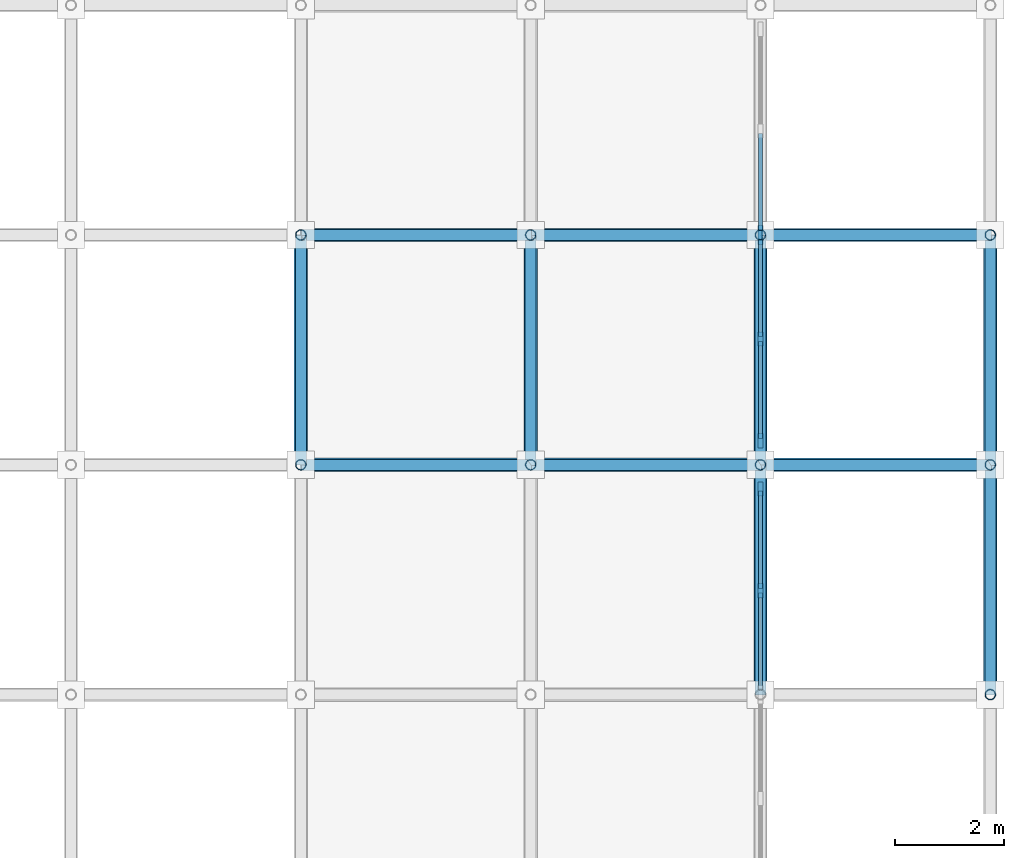
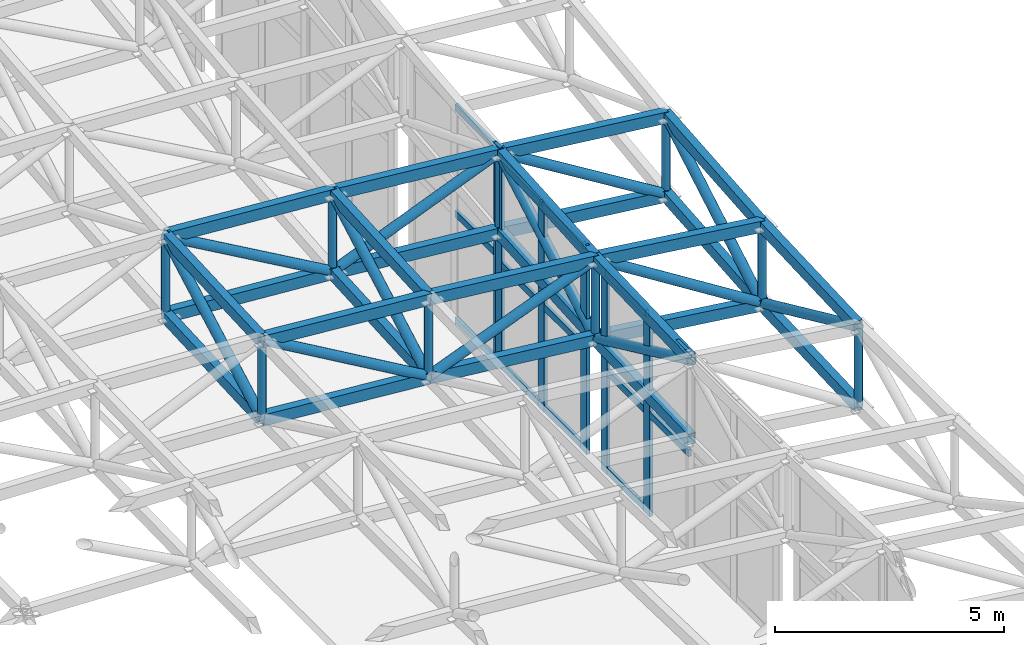
# One storey, part 48 of 123: 65 members, 3 elements without a shape of their own.
"""IFC4 building model written with IfcOpenShell, lengths in metres."""

from ifc_helpers import new_model, si_unit, direction, frame, origin, origin_2d, place, context, subcontext, project, spatial, rectangle, hollow_rectangle, hollow_circle, extrude, material, material_profile, profile_set, type_object, element, aggregate, save


model = new_model("IFC4")

# Units and contexts
model_context = context("Model", 3, precision=1e-05, world=origin(), true_north=direction((0.0, 1.0)))
body_context = subcontext(model_context, "Body", "Model", "MODEL_VIEW")
ifc_project = project(units=[si_unit("LENGTHUNIT", "METRE"), si_unit("AREAUNIT", "SQUARE_METRE"), si_unit("VOLUMEUNIT", "CUBIC_METRE"), si_unit("PLANEANGLEUNIT", "RADIAN"), si_unit("MASSUNIT", "GRAM", prefix="KILO")], contexts=[model_context])

# Site, building, storey
site_placement = place(None, origin())
site = spatial("IfcSite", under=ifc_project, at=site_placement, CompositionType="ELEMENT")
building_placement = place(site_placement, origin())
building = spatial("IfcBuilding", under=site, at=building_placement, Name="Cumbredor Promenade Congress Hotel", CompositionType="ELEMENT")
storey_placement = place(building_placement, frame((0.0, 0.0, 11.760009765625)))
storey = spatial("IfcBuildingStorey", under=building, at=storey_placement, Name="L03", CompositionType="ELEMENT", Elevation=11.760009765625)

# Members
ifc_material_1 = material(Name="Steel ASTM A500 Grade C", Category="steel")
ifc_material_profile_1 = material_profile(ifc_material_1, hollow_rectangle(XDim=0.199951171875, YDim=0.300048828125, WallThickness=0.012451171875, at=origin_2d()), Name="HSS 300x200x12.5")
ifc_profile_set_1 = profile_set([ifc_material_profile_1], Name="Steel ASTM A500 Grade C")
member_type_1 = type_object("IfcMemberType", Name="Ballroom Roof Space Frame Chord", PredefinedType="CHORD", material=ifc_profile_set_1)
for number, where, z_axis, x_axis, name in (
    (1, (176.39990234375, 42.0, 6.1708984375), (0.996577644221, 0.0, -0.082661956423), (0.0, 1.0, 0.0), "Grand Ballroom Pavilion X Top Chord 10.11"),
    (2, (176.39990234375, 42.0, 4.07080078125), (0.996582414562, 0.0, -0.082604424736), (0.0, 1.0, 0.0), "Grand Ballroom Pavilion X Bottom Chord 10.11"),
):
    element("IfcMember", number, at=place(storey_placement, frame(where, z_axis=z_axis, x_axis=x_axis)), inside=storey, type_object=member_type_1, Name=name, PredefinedType="CHORD", context=body_context, shape_type="SweptSolid", body=[
        extrude(hollow_rectangle(XDim=0.199951171875, YDim=0.300048828125, WallThickness=0.012451171875, at=origin_2d()), origin(), (0.0, 0.0, 1.0), 4.214599609375),
    ])
for number, where, z_axis, x_axis, name in (
    (3, (180.60009765625, 42.0, 5.822509765625), (0.99435911927, 0.0, -0.106065743409), (0.0, 1.0, 0.0), "Grand Ballroom Pavilion X Top Chord 11.11"),
    (4, (180.60009765625, 42.0, 3.72265625), (0.99435911927, 0.0, -0.106065743409), (0.0, 1.0, 0.0), "Grand Ballroom Pavilion X Bottom Chord 11.11"),
):
    element("IfcMember", number, at=place(storey_placement, frame(where, z_axis=z_axis, x_axis=x_axis)), inside=storey, type_object=member_type_1, Name=name, PredefinedType="CHORD", context=body_context, shape_type="SweptSolid", body=[
        extrude(hollow_rectangle(XDim=0.199951171875, YDim=0.300048828125, WallThickness=0.012451171875, at=origin_2d()), origin(), (0.0, 0.0, 1.0), 4.223876953125),
    ])
for number, where, z_axis, x_axis, name in (
    (5, (184.800048828125, 42.0, 5.37451171875), (0.991651121534, 0.0, -0.128949808689), (0.0, 1.0, 0.0), "Grand Ballroom Pavilion X Top Chord 12.11"),
    (6, (184.800048828125, 42.0, 3.274658203125), (0.991643748834, 0.0, -0.129006493628), (0.0, 1.0, 0.0), "Grand Ballroom Pavilion X Bottom Chord 12.11"),
):
    element("IfcMember", number, at=place(storey_placement, frame(where, z_axis=z_axis, x_axis=x_axis)), inside=storey, type_object=member_type_1, Name=name, PredefinedType="CHORD", context=body_context, shape_type="SweptSolid", body=[
        extrude(hollow_rectangle(XDim=0.199951171875, YDim=0.300048828125, WallThickness=0.012451171875, at=origin_2d()), origin(), (0.0, 0.0, 1.0), 4.2353515625),
    ])
for number, where, z_axis, x_axis, name in (
    (7, (176.39990234375, 46.199951171875, 6.37548828125), (0.99729064074, 0.0, -0.073562068304), (0.0, 1.0, 0.0), "Grand Ballroom Pavilion X Top Chord 10.12"),
    (8, (176.39990234375, 46.199951171875, 4.275390625), (0.99729064074, 0.0, -0.073562068304), (0.0, 1.0, 0.0), "Grand Ballroom Pavilion X Bottom Chord 10.12"),
):
    element("IfcMember", number, at=place(storey_placement, frame(where, z_axis=z_axis, x_axis=x_axis)), inside=storey, type_object=member_type_1, Name=name, PredefinedType="CHORD", context=body_context, shape_type="SweptSolid", body=[
        extrude(hollow_rectangle(XDim=0.199951171875, YDim=0.300048828125, WallThickness=0.012451171875, at=origin_2d()), origin(), (0.0, 0.0, 1.0), 4.211669921875),
    ])
for number, where, z_axis, x_axis, name in (
    (9, (180.60009765625, 46.199951171875, 6.065673828125), (0.995535696454, 0.0, -0.094385788579), (0.0, 1.0, 0.0), "Grand Ballroom Pavilion X Top Chord 11.12"),
    (10, (180.60009765625, 46.199951171875, 3.965576171875), (0.995535696454, 0.0, -0.094385788579), (0.0, 1.0, 0.0), "Grand Ballroom Pavilion X Bottom Chord 11.12"),
):
    element("IfcMember", number, at=place(storey_placement, frame(where, z_axis=z_axis, x_axis=x_axis)), inside=storey, type_object=member_type_1, Name=name, PredefinedType="CHORD", context=body_context, shape_type="SweptSolid", body=[
        extrude(hollow_rectangle(XDim=0.199951171875, YDim=0.300048828125, WallThickness=0.012451171875, at=origin_2d()), origin(), (0.0, 0.0, 1.0), 4.21875),
    ])
member_1_placement = place(storey_placement, frame((184.800048828125, 46.199951171875, 5.66748046875), z_axis=(0.993382355075, 0.0, -0.114854240786), x_axis=(0.0, 1.0, 0.0)))
element("IfcMember", 11, at=member_1_placement, inside=storey, type_object=member_type_1, Name="Grand Ballroom Pavilion X Top Chord 12.12", PredefinedType="CHORD", context=body_context, shape_type="SweptSolid", body=[
    extrude(hollow_rectangle(XDim=0.199951171875, YDim=0.300048828125, WallThickness=0.012451171875, at=origin_2d()), origin(), (0.0, 0.0, 1.0), 4.22802734375),
])
member_2_placement = place(storey_placement, frame((184.800048828125, 46.199951171875, 3.5673828125), z_axis=(0.99338894182, 0.0, -0.114797257242), x_axis=(0.0, 1.0, 0.0)))
element("IfcMember", 12, at=member_2_placement, inside=storey, type_object=member_type_1, Name="Grand Ballroom Pavilion X Bottom Chord 12.12", PredefinedType="CHORD", context=body_context, shape_type="SweptSolid", body=[
    extrude(hollow_rectangle(XDim=0.199951171875, YDim=0.300048828125, WallThickness=0.012451171875, at=origin_2d()), origin(), (0.0, 0.0, 1.0), 4.227783203125),
])
for number, where, z_axis, x_axis, name in (
    (13, (176.39990234375, 42.0, 6.1708984375), (0.0, 0.998815656724, 0.048654741634), (-1.0, 0.0, 0.0), "Grand Ballroom Pavilion Y Top Chord 10.11"),
    (14, (176.39990234375, 42.0, 4.07080078125), (0.0, 0.998815656724, 0.048654741634), (-1.0, 0.0, 0.0), "Grand Ballroom Pavilion Y Bottom Chord 10.11"),
):
    element("IfcMember", number, at=place(storey_placement, frame(where, z_axis=z_axis, x_axis=x_axis)), inside=storey, type_object=member_type_1, Name=name, PredefinedType="CHORD", context=body_context, shape_type="SweptSolid", body=[
        extrude(hollow_rectangle(XDim=0.199951171875, YDim=0.300048828125, WallThickness=0.012451171875, at=origin_2d()), origin(), (0.0, 0.0, 1.0), 4.204833984375),
    ])
for number, where, z_axis, x_axis, name in (
    (15, (180.60009765625, 42.0, 5.822509765625), (0.0, 0.998328177583, 0.057800085152), (-1.0, 0.0, 0.0), "Grand Ballroom Pavilion Y Top Chord 11.11"),
    (16, (180.60009765625, 42.0, 3.72265625), (0.0, 0.998331524578, 0.057742246524), (-1.0, 0.0, 0.0), "Grand Ballroom Pavilion Y Bottom Chord 11.11"),
):
    element("IfcMember", number, at=place(storey_placement, frame(where, z_axis=z_axis, x_axis=x_axis)), inside=storey, type_object=member_type_1, Name=name, PredefinedType="CHORD", context=body_context, shape_type="SweptSolid", body=[
        extrude(hollow_rectangle(XDim=0.199951171875, YDim=0.300048828125, WallThickness=0.012451171875, at=origin_2d()), origin(), (0.0, 0.0, 1.0), 4.20703125),
    ])
for number, where, z_axis, x_axis, name in (
    (17, (184.800048828125, 37.800048828125, 5.228271484375), (0.0, 0.999394351583, 0.034798419845), (-1.0, 0.0, 0.0), "Grand Ballroom Pavilion Y Top Chord 12.10"),
    (18, (184.800048828125, 37.800048828125, 3.128173828125), (0.0, 0.999392329541, 0.034856443511), (-1.0, 0.0, 0.0), "Grand Ballroom Pavilion Y Bottom Chord 12.10"),
):
    element("IfcMember", number, at=place(storey_placement, frame(where, z_axis=z_axis, x_axis=x_axis)), inside=storey, type_object=member_type_1, Name=name, PredefinedType="CHORD", context=body_context, shape_type="SweptSolid", body=[
        extrude(hollow_rectangle(XDim=0.199951171875, YDim=0.300048828125, WallThickness=0.012451171875, at=origin_2d()), origin(), (0.0, 0.0, 1.0), 4.202392578125),
    ])
for number, where, z_axis, x_axis, name in (
    (19, (184.800048828125, 42.0, 5.37451171875), (0.0, 0.997575943438, 0.06958618451), (-1.0, 0.0, 0.0), "Grand Ballroom Pavilion Y Top Chord 12.11"),
    (20, (184.800048828125, 42.0, 3.274658203125), (0.0, 0.997579967201, 0.069528476468), (-1.0, 0.0, 0.0), "Grand Ballroom Pavilion Y Bottom Chord 12.11"),
):
    element("IfcMember", number, at=place(storey_placement, frame(where, z_axis=z_axis, x_axis=x_axis)), inside=storey, type_object=member_type_1, Name=name, PredefinedType="CHORD", context=body_context, shape_type="SweptSolid", body=[
        extrude(hollow_rectangle(XDim=0.199951171875, YDim=0.300048828125, WallThickness=0.012451171875, at=origin_2d()), origin(), (0.0, 0.0, 1.0), 4.210205078125),
    ])
for number, where, z_axis, x_axis, name in (
    (21, (189.0, 37.800048828125, 4.651611328125), (0.0, 0.999115572358, 0.042048460989), (-1.0, 0.0, 0.0), "Grand Ballroom Pavilion Y Top Chord 13.10"),
    (22, (189.0, 37.800048828125, 2.551513671875), (0.0, 0.999115572358, 0.042048460989), (-1.0, 0.0, 0.0), "Grand Ballroom Pavilion Y Bottom Chord 13.10"),
):
    element("IfcMember", number, at=place(storey_placement, frame(where, z_axis=z_axis, x_axis=x_axis)), inside=storey, type_object=member_type_1, Name=name, PredefinedType="CHORD", context=body_context, shape_type="SweptSolid", body=[
        extrude(hollow_rectangle(XDim=0.199951171875, YDim=0.300048828125, WallThickness=0.012451171875, at=origin_2d()), origin(), (0.0, 0.0, 1.0), 4.20361328125),
    ])
for number, where, z_axis, x_axis, name in (
    (23, (189.0, 42.0, 4.828369140625), (0.0, 0.996476303168, 0.083874771086), (-1.0, 0.0, 0.0), "Grand Ballroom Pavilion Y Top Chord 13.11"),
    (24, (189.0, 42.0, 2.728271484375), (0.0, 0.996471460241, 0.083932287734), (-1.0, 0.0, 0.0), "Grand Ballroom Pavilion Y Bottom Chord 13.11"),
):
    element("IfcMember", number, at=place(storey_placement, frame(where, z_axis=z_axis, x_axis=x_axis)), inside=storey, type_object=member_type_1, Name=name, PredefinedType="CHORD", context=body_context, shape_type="SweptSolid", body=[
        extrude(hollow_rectangle(XDim=0.199951171875, YDim=0.300048828125, WallThickness=0.012451171875, at=origin_2d()), origin(), (0.0, 0.0, 1.0), 4.21484375),
    ])

# Curtain wall, members
ifc_material_2 = material(Name="Thermally broken anodized aluminium and low-E glass", Category="aluminium")
curtain_wall_type = type_object("IfcCurtainWallType", Name="Stepped Pavilion Clerestory Curtain Wall CW-06", PredefinedType="NOTDEFINED", material=ifc_material_2)
curtain_wall_1_placement = place(storey_placement, origin())
curtain_wall_1 = element("IfcCurtainWall", 25, at=curtain_wall_1_placement, inside=storey, type_object=curtain_wall_type, Name="Grand Ballroom Pavilion E Glazed Clerestory 8", PredefinedType="NOTDEFINED")
ifc_material_3 = material(Name="Thermally broken anodized aluminium", Category="aluminium")
ifc_material_profile_2 = material_profile(ifc_material_3, rectangle(XDim=0.0849609375, YDim=0.260009765625, at=origin_2d()), Name="ALU MULLION CLERESTORY 85x260")
ifc_profile_set_2 = profile_set([ifc_material_profile_2], Name="Thermally broken anodized aluminium")
member_type_2 = type_object("IfcMemberType", Name="Curtain Wall Mullion ML-04", PredefinedType="MULLION", material=ifc_profile_set_2)
member_3_placement = place(storey_placement, frame((184.800048828125, 39.699951171875, -0.01806640625), z_axis=(0.0, 0.0, 1.0), x_axis=(1.0, 0.0, 0.0)))
member_3 = element("IfcMember", 26, at=member_3_placement, type_object=member_type_2, Name="Grand Ballroom Pavilion E Glazed Clerestory 8 Mullion 2", PredefinedType="MULLION", context=body_context, shape_type="SweptSolid", body=[
    extrude(rectangle(XDim=0.0849609375, YDim=0.260009765625, at=origin_2d()), origin(), (0.0, 0.0, 1.0), 5.42236328125),
])
member_4_placement = place(storey_placement, frame((184.800048828125, 41.56005859375, -0.01806640625), z_axis=(0.0, 0.0, 1.0), x_axis=(1.0, 0.0, 0.0)))
member_4 = element("IfcMember", 27, at=member_4_placement, type_object=member_type_2, Name="Grand Ballroom Pavilion E Glazed Clerestory 8 Mullion 3", PredefinedType="MULLION", context=body_context, shape_type="SweptSolid", body=[
    extrude(rectangle(XDim=0.0849609375, YDim=0.260009765625, at=origin_2d()), origin(), (0.0, 0.0, 1.0), 5.42236328125),
])

curtain_wall_2_placement = place(storey_placement, origin())
curtain_wall_2 = element("IfcCurtainWall", 28, at=curtain_wall_2_placement, inside=storey, type_object=curtain_wall_type, Name="Grand Ballroom Pavilion E Glazed Clerestory 9", PredefinedType="NOTDEFINED")
member_5_placement = place(storey_placement, frame((184.800048828125, 42.43994140625, -0.01806640625), z_axis=(0.0, 0.0, 1.0), x_axis=(1.0, 0.0, 0.0)))
member_5 = element("IfcMember", 29, at=member_5_placement, type_object=member_type_2, Name="Grand Ballroom Pavilion E Glazed Clerestory 9 Mullion 1", PredefinedType="MULLION", context=body_context, shape_type="SweptSolid", body=[
    extrude(rectangle(XDim=0.0849609375, YDim=0.260009765625, at=origin_2d()), origin(), (0.0, 0.0, 1.0), 5.568603515625),
])
member_6_placement = place(storey_placement, frame((184.800048828125, 44.300048828125, -0.01806640625), z_axis=(0.0, 0.0, 1.0), x_axis=(1.0, 0.0, 0.0)))
member_6 = element("IfcMember", 30, at=member_6_placement, type_object=member_type_2, Name="Grand Ballroom Pavilion E Glazed Clerestory 9 Mullion 2", PredefinedType="MULLION", context=body_context, shape_type="SweptSolid", body=[
    extrude(rectangle(XDim=0.0849609375, YDim=0.260009765625, at=origin_2d()), origin(), (0.0, 0.0, 1.0), 5.568603515625),
])
member_7_placement = place(storey_placement, frame((184.800048828125, 46.159912109375, -0.01806640625), z_axis=(0.0, 0.0, 1.0), x_axis=(1.0, 0.0, 0.0)))
member_7 = element("IfcMember", 31, at=member_7_placement, type_object=member_type_2, Name="Grand Ballroom Pavilion E Glazed Clerestory 9 Mullion 3", PredefinedType="MULLION", context=body_context, shape_type="SweptSolid", body=[
    extrude(rectangle(XDim=0.0849609375, YDim=0.260009765625, at=origin_2d()), origin(), (0.0, 0.0, 1.0), 5.568603515625),
])

# Curtain wall, member
curtain_wall_3_placement = place(storey_placement, origin())
curtain_wall_3 = element("IfcCurtainWall", 32, at=curtain_wall_3_placement, inside=storey, type_object=curtain_wall_type, Name="Grand Ballroom Pavilion E Glazed Clerestory 10", PredefinedType="NOTDEFINED")
member_8_placement = place(storey_placement, frame((184.800048828125, 46.239990234375, -0.01806640625), z_axis=(0.0, 0.0, 1.0), x_axis=(1.0, 0.0, 0.0)))
member_8 = element("IfcMember", 33, at=member_8_placement, type_object=member_type_2, Name="Grand Ballroom Pavilion E Glazed Clerestory 10 Mullion 1", PredefinedType="MULLION", context=body_context, shape_type="SweptSolid", body=[
    extrude(rectangle(XDim=0.0849609375, YDim=0.260009765625, at=origin_2d()), origin(), (0.0, 0.0, 1.0), 5.861572265625),
])

# Member
ifc_material_profile_3 = material_profile(ifc_material_3, rectangle(XDim=0.080078125, YDim=0.179931640625, at=origin_2d()), Name="ALU TRANSOM 80x180")
ifc_profile_set_3 = profile_set([ifc_material_profile_3], Name="Thermally broken anodized aluminium")
member_type_3 = type_object("IfcMemberType", Name="Curtain Wall Transom TR-03", PredefinedType="USERDEFINED", material=ifc_profile_set_3)
member_9_placement = place(storey_placement, frame((184.800048828125, 37.882568359375, 2.699951171875), z_axis=(0.0, 1.0, 0.0), x_axis=(-1.0, 0.0, 0.0)))
member_9 = element("IfcMember", 34, at=member_9_placement, type_object=member_type_3, Name="Grand Ballroom Pavilion E Glazed Clerestory 8 Transom 1.2", ObjectType="TRANSOM", PredefinedType="USERDEFINED", context=body_context, shape_type="SweptSolid", body=[
    extrude(rectangle(XDim=0.080078125, YDim=0.179931640625, at=origin_2d()), origin(), (0.0, 0.0, 1.0), 1.77490234375),
])

member_10_placement = place(storey_placement, frame((184.800048828125, 37.882568359375, 5.31005859375), z_axis=(0.0, 1.0, 0.0), x_axis=(-1.0, 0.0, 0.0)))
member_10 = element("IfcMember", 35, at=member_10_placement, type_object=member_type_3, Name="Grand Ballroom Pavilion E Glazed Clerestory 8 Transom 1.3", ObjectType="TRANSOM", PredefinedType="USERDEFINED", context=body_context, shape_type="SweptSolid", body=[
    extrude(rectangle(XDim=0.080078125, YDim=0.179931640625, at=origin_2d()), origin(), (0.0, 0.0, 1.0), 1.77490234375),
])

member_11_placement = place(storey_placement, frame((184.800048828125, 39.742431640625, 0.080078125), z_axis=(0.0, 1.0, 0.0), x_axis=(-1.0, 0.0, 0.0)))
member_11 = element("IfcMember", 36, at=member_11_placement, type_object=member_type_3, Name="Grand Ballroom Pavilion E Glazed Clerestory 8 Transom 2.1", ObjectType="TRANSOM", PredefinedType="USERDEFINED", context=body_context, shape_type="SweptSolid", body=[
    extrude(rectangle(XDim=0.080078125, YDim=0.179931640625, at=origin_2d()), origin(), (0.0, 0.0, 1.0), 1.775146484375),
])

member_12_placement = place(storey_placement, frame((184.800048828125, 39.742431640625, 2.699951171875), z_axis=(0.0, 1.0, 0.0), x_axis=(-1.0, 0.0, 0.0)))
member_12 = element("IfcMember", 37, at=member_12_placement, type_object=member_type_3, Name="Grand Ballroom Pavilion E Glazed Clerestory 8 Transom 2.2", ObjectType="TRANSOM", PredefinedType="USERDEFINED", context=body_context, shape_type="SweptSolid", body=[
    extrude(rectangle(XDim=0.080078125, YDim=0.179931640625, at=origin_2d()), origin(), (0.0, 0.0, 1.0), 1.775146484375),
])

member_13_placement = place(storey_placement, frame((184.800048828125, 39.742431640625, 5.31005859375), z_axis=(0.0, 1.0, 0.0), x_axis=(-1.0, 0.0, 0.0)))
member_13 = element("IfcMember", 38, at=member_13_placement, type_object=member_type_3, Name="Grand Ballroom Pavilion E Glazed Clerestory 8 Transom 2.3", ObjectType="TRANSOM", PredefinedType="USERDEFINED", context=body_context, shape_type="SweptSolid", body=[
    extrude(rectangle(XDim=0.080078125, YDim=0.179931640625, at=origin_2d()), origin(), (0.0, 0.0, 1.0), 1.775146484375),
])

aggregate(curtain_wall_1, [member_3, member_4, member_9, member_10, member_11, member_12, member_13])

member_14_placement = place(storey_placement, frame((184.800048828125, 42.482421875, 0.080078125), z_axis=(0.0, 1.0, 0.0), x_axis=(-1.0, 0.0, 0.0)))
member_14 = element("IfcMember", 39, at=member_14_placement, type_object=member_type_3, Name="Grand Ballroom Pavilion E Glazed Clerestory 9 Transom 1.1", ObjectType="TRANSOM", PredefinedType="USERDEFINED", context=body_context, shape_type="SweptSolid", body=[
    extrude(rectangle(XDim=0.080078125, YDim=0.179931640625, at=origin_2d()), origin(), (0.0, 0.0, 1.0), 1.775146484375),
])

member_15_placement = place(storey_placement, frame((184.800048828125, 42.482421875, 2.77001953125), z_axis=(0.0, 1.0, 0.0), x_axis=(-1.0, 0.0, 0.0)))
member_15 = element("IfcMember", 40, at=member_15_placement, type_object=member_type_3, Name="Grand Ballroom Pavilion E Glazed Clerestory 9 Transom 1.2", ObjectType="TRANSOM", PredefinedType="USERDEFINED", context=body_context, shape_type="SweptSolid", body=[
    extrude(rectangle(XDim=0.080078125, YDim=0.179931640625, at=origin_2d()), origin(), (0.0, 0.0, 1.0), 1.775146484375),
])

member_16_placement = place(storey_placement, frame((184.800048828125, 42.482421875, 5.449951171875), z_axis=(0.0, 1.0, 0.0), x_axis=(-1.0, 0.0, 0.0)))
member_16 = element("IfcMember", 41, at=member_16_placement, type_object=member_type_3, Name="Grand Ballroom Pavilion E Glazed Clerestory 9 Transom 1.3", ObjectType="TRANSOM", PredefinedType="USERDEFINED", context=body_context, shape_type="SweptSolid", body=[
    extrude(rectangle(XDim=0.080078125, YDim=0.179931640625, at=origin_2d()), origin(), (0.0, 0.0, 1.0), 1.775146484375),
])

member_17_placement = place(storey_placement, frame((184.800048828125, 44.342529296875, 0.080078125), z_axis=(0.0, 1.0, 0.0), x_axis=(-1.0, 0.0, 0.0)))
member_17 = element("IfcMember", 42, at=member_17_placement, type_object=member_type_3, Name="Grand Ballroom Pavilion E Glazed Clerestory 9 Transom 2.1", ObjectType="TRANSOM", PredefinedType="USERDEFINED", context=body_context, shape_type="SweptSolid", body=[
    extrude(rectangle(XDim=0.080078125, YDim=0.179931640625, at=origin_2d()), origin(), (0.0, 0.0, 1.0), 1.77490234375),
])

member_18_placement = place(storey_placement, frame((184.800048828125, 44.342529296875, 2.77001953125), z_axis=(0.0, 1.0, 0.0), x_axis=(-1.0, 0.0, 0.0)))
member_18 = element("IfcMember", 43, at=member_18_placement, type_object=member_type_3, Name="Grand Ballroom Pavilion E Glazed Clerestory 9 Transom 2.2", ObjectType="TRANSOM", PredefinedType="USERDEFINED", context=body_context, shape_type="SweptSolid", body=[
    extrude(rectangle(XDim=0.080078125, YDim=0.179931640625, at=origin_2d()), origin(), (0.0, 0.0, 1.0), 1.77490234375),
])

member_19_placement = place(storey_placement, frame((184.800048828125, 44.342529296875, 5.449951171875), z_axis=(0.0, 1.0, 0.0), x_axis=(-1.0, 0.0, 0.0)))
member_19 = element("IfcMember", 44, at=member_19_placement, type_object=member_type_3, Name="Grand Ballroom Pavilion E Glazed Clerestory 9 Transom 2.3", ObjectType="TRANSOM", PredefinedType="USERDEFINED", context=body_context, shape_type="SweptSolid", body=[
    extrude(rectangle(XDim=0.080078125, YDim=0.179931640625, at=origin_2d()), origin(), (0.0, 0.0, 1.0), 1.77490234375),
])

aggregate(curtain_wall_2, [member_5, member_6, member_7, member_14, member_15, member_16, member_17, member_18, member_19])

member_20_placement = place(storey_placement, frame((184.800048828125, 46.282470703125, 0.080078125), z_axis=(0.0, 1.0, 0.0), x_axis=(-1.0, 0.0, 0.0)))
member_20 = element("IfcMember", 45, at=member_20_placement, type_object=member_type_3, Name="Grand Ballroom Pavilion E Glazed Clerestory 10 Transom 1.1", ObjectType="TRANSOM", PredefinedType="USERDEFINED", context=body_context, shape_type="SweptSolid", body=[
    extrude(rectangle(XDim=0.080078125, YDim=0.179931640625, at=origin_2d()), origin(), (0.0, 0.0, 1.0), 1.775146484375),
])

member_21_placement = place(storey_placement, frame((184.800048828125, 46.282470703125, 2.919921875), z_axis=(0.0, 1.0, 0.0), x_axis=(-1.0, 0.0, 0.0)))
member_21 = element("IfcMember", 46, at=member_21_placement, type_object=member_type_3, Name="Grand Ballroom Pavilion E Glazed Clerestory 10 Transom 1.2", ObjectType="TRANSOM", PredefinedType="USERDEFINED", context=body_context, shape_type="SweptSolid", body=[
    extrude(rectangle(XDim=0.080078125, YDim=0.179931640625, at=origin_2d()), origin(), (0.0, 0.0, 1.0), 1.775146484375),
])

member_22_placement = place(storey_placement, frame((184.800048828125, 46.282470703125, 5.75), z_axis=(0.0, 1.0, 0.0), x_axis=(-1.0, 0.0, 0.0)))
member_22 = element("IfcMember", 47, at=member_22_placement, type_object=member_type_3, Name="Grand Ballroom Pavilion E Glazed Clerestory 10 Transom 1.3", ObjectType="TRANSOM", PredefinedType="USERDEFINED", context=body_context, shape_type="SweptSolid", body=[
    extrude(rectangle(XDim=0.080078125, YDim=0.179931640625, at=origin_2d()), origin(), (0.0, 0.0, 1.0), 1.775146484375),
])

aggregate(curtain_wall_3, [member_8, member_20, member_21, member_22])

# Members
ifc_material_profile_4 = material_profile(ifc_material_1, hollow_circle(Radius=0.122314453125, WallThickness=0.012451171875, at=origin_2d()), Name="CHS 244.5x12.5")
ifc_profile_set_4 = profile_set([ifc_material_profile_4], Name="Steel ASTM A500 Grade C")
member_type_4 = type_object("IfcMemberType", Name="Space Frame Web Diagonal D2", PredefinedType="BRACE", material=ifc_profile_set_4)
member_23_placement = place(storey_placement, frame((176.39990234375, 42.0, 6.1708984375), z_axis=(0.863946419146, 0.0, -0.503583741641), x_axis=(0.0, 1.0, 0.0)))
element("IfcMember", 48, at=member_23_placement, inside=storey, type_object=member_type_4, Name="Grand Ballroom Pavilion X Web Diagonal 10.11", PredefinedType="BRACE", context=body_context, shape_type="SweptSolid", body=[
    extrude(hollow_circle(Radius=0.122314453125, WallThickness=0.012451171875, at=origin_2d()), origin(), (0.0, 0.0, 1.0), 4.861572265625),
])
member_24_placement = place(storey_placement, frame((180.60009765625, 42.0, 3.72265625), z_axis=(0.930610057506, 0.0, 0.366012186775), x_axis=(0.0, 1.0, 0.0)))
element("IfcMember", 49, at=member_24_placement, inside=storey, type_object=member_type_4, Name="Grand Ballroom Pavilion X Web Diagonal 11.11", PredefinedType="BRACE", context=body_context, shape_type="SweptSolid", body=[
    extrude(hollow_circle(Radius=0.122314453125, WallThickness=0.012451171875, at=origin_2d()), origin(), (0.0, 0.0, 1.0), 4.51318359375),
])
member_25_placement = place(storey_placement, frame((184.800048828125, 42.0, 5.37451171875), z_axis=(0.846066896531, 0.0, -0.533076736122), x_axis=(0.0, 1.0, 0.0)))
element("IfcMember", 50, at=member_25_placement, inside=storey, type_object=member_type_4, Name="Grand Ballroom Pavilion X Web Diagonal 12.11", PredefinedType="BRACE", context=body_context, shape_type="SweptSolid", body=[
    extrude(hollow_circle(Radius=0.122314453125, WallThickness=0.012451171875, at=origin_2d()), origin(), (0.0, 0.0, 1.0), 4.964111328125),
])
member_26_placement = place(storey_placement, frame((176.39990234375, 46.199951171875, 6.37548828125), z_axis=(0.867369979475, 0.0, -0.49766386116), x_axis=(0.0, 1.0, 0.0)))
element("IfcMember", 51, at=member_26_placement, inside=storey, type_object=member_type_4, Name="Grand Ballroom Pavilion X Web Diagonal 10.12", PredefinedType="BRACE", context=body_context, shape_type="SweptSolid", body=[
    extrude(hollow_circle(Radius=0.122314453125, WallThickness=0.012451171875, at=origin_2d()), origin(), (0.0, 0.0, 1.0), 4.842529296875),
])
member_27_placement = place(storey_placement, frame((180.60009765625, 46.199951171875, 3.965576171875), z_axis=(0.926799079223, 0.0, 0.3755575412), x_axis=(0.0, 1.0, 0.0)))
element("IfcMember", 52, at=member_27_placement, inside=storey, type_object=member_type_4, Name="Grand Ballroom Pavilion X Web Diagonal 11.12", PredefinedType="BRACE", context=body_context, shape_type="SweptSolid", body=[
    extrude(hollow_circle(Radius=0.122314453125, WallThickness=0.012451171875, at=origin_2d()), origin(), (0.0, 0.0, 1.0), 4.53173828125),
])
member_28_placement = place(storey_placement, frame((184.800048828125, 46.199951171875, 5.66748046875), z_axis=(0.851580124067, 0.0, -0.524224467469), x_axis=(0.0, 1.0, 0.0)))
element("IfcMember", 53, at=member_28_placement, inside=storey, type_object=member_type_4, Name="Grand Ballroom Pavilion X Web Diagonal 12.12", PredefinedType="BRACE", context=body_context, shape_type="SweptSolid", body=[
    extrude(hollow_circle(Radius=0.122314453125, WallThickness=0.012451171875, at=origin_2d()), origin(), (0.0, 0.0, 1.0), 4.931884765625),
])
member_29_placement = place(storey_placement, frame((176.39990234375, 42.0, 4.07080078125), z_axis=(0.0, 0.876681386085, 0.481071457574), x_axis=(-1.0, 0.0, 0.0)))
element("IfcMember", 54, at=member_29_placement, inside=storey, type_object=member_type_4, Name="Grand Ballroom Pavilion Y Web Diagonal 10.11", PredefinedType="BRACE", context=body_context, shape_type="SweptSolid", body=[
    extrude(hollow_circle(Radius=0.122314453125, WallThickness=0.012451171875, at=origin_2d()), origin(), (0.0, 0.0, 1.0), 4.790771484375),
])
member_30_placement = place(storey_placement, frame((180.60009765625, 42.0, 3.72265625), z_axis=(0.0, 0.873298667641, 0.487185218471), x_axis=(-1.0, 0.0, 0.0)))
element("IfcMember", 55, at=member_30_placement, inside=storey, type_object=member_type_4, Name="Grand Ballroom Pavilion Y Web Diagonal 11.11", PredefinedType="BRACE", context=body_context, shape_type="SweptSolid", body=[
    extrude(hollow_circle(Radius=0.122314453125, WallThickness=0.012451171875, at=origin_2d()), origin(), (0.0, 0.0, 1.0), 4.809326171875),
])
member_31_placement = place(storey_placement, frame((184.800048828125, 37.800048828125, 5.228271484375), z_axis=(0.0, 0.906708925049, -0.42175695043), x_axis=(-1.0, 0.0, 0.0)))
element("IfcMember", 56, at=member_31_placement, inside=storey, type_object=member_type_4, Name="Grand Ballroom Pavilion Y Web Diagonal 12.10", PredefinedType="BRACE", context=body_context, shape_type="SweptSolid", body=[
    extrude(hollow_circle(Radius=0.122314453125, WallThickness=0.012451171875, at=origin_2d()), origin(), (0.0, 0.0, 1.0), 4.632080078125),
])
member_32_placement = place(storey_placement, frame((184.800048828125, 42.0, 3.274658203125), z_axis=(0.0, 0.868879596978, 0.495023480206), x_axis=(-1.0, 0.0, 0.0)))
element("IfcMember", 57, at=member_32_placement, inside=storey, type_object=member_type_4, Name="Grand Ballroom Pavilion Y Web Diagonal 12.11", PredefinedType="BRACE", context=body_context, shape_type="SweptSolid", body=[
    extrude(hollow_circle(Radius=0.122314453125, WallThickness=0.012451171875, at=origin_2d()), origin(), (0.0, 0.0, 1.0), 4.833740234375),
])
member_33_placement = place(storey_placement, frame((189.0, 37.800048828125, 4.651611328125), z_axis=(0.0, 0.909199064719, -0.41636169458), x_axis=(-1.0, 0.0, 0.0)))
element("IfcMember", 58, at=member_33_placement, inside=storey, type_object=member_type_4, Name="Grand Ballroom Pavilion Y Web Diagonal 13.10", PredefinedType="BRACE", context=body_context, shape_type="SweptSolid", body=[
    extrude(hollow_circle(Radius=0.122314453125, WallThickness=0.012451171875, at=origin_2d()), origin(), (0.0, 0.0, 1.0), 4.619384765625),
])
member_34_placement = place(storey_placement, frame((189.0, 42.0, 2.728271484375), z_axis=(0.0, 0.863452862404, 0.504429533637), x_axis=(-1.0, 0.0, 0.0)))
element("IfcMember", 59, at=member_34_placement, inside=storey, type_object=member_type_4, Name="Grand Ballroom Pavilion Y Web Diagonal 13.11", PredefinedType="BRACE", context=body_context, shape_type="SweptSolid", body=[
    extrude(hollow_circle(Radius=0.122314453125, WallThickness=0.012451171875, at=origin_2d()), origin(), (0.0, 0.0, 1.0), 4.864013671875),
])
ifc_material_profile_5 = material_profile(ifc_material_1, hollow_circle(Radius=0.096923828125, WallThickness=0.010009765625, at=origin_2d()), Name="CHS 193.7x10")
ifc_profile_set_5 = profile_set([ifc_material_profile_5], Name="Steel ASTM A500 Grade C")
member_type_5 = type_object("IfcMemberType", Name="Space Frame Web Post P1", PredefinedType="BRACE", material=ifc_profile_set_5)
for number, where, z_axis, x_axis, name in (
    (60, (176.39990234375, 42.0, 4.07080078125), (0.0, 0.0, 1.0), (1.0, 0.0, 0.0), "Grand Ballroom Pavilion Space Frame Web Post 10.11"),
    (61, (176.39990234375, 46.199951171875, 4.275390625), (0.0, 0.0, 1.0), (1.0, 0.0, 0.0), "Grand Ballroom Pavilion Space Frame Web Post 10.12"),
):
    element("IfcMember", number, at=place(storey_placement, frame(where, z_axis=z_axis, x_axis=x_axis)), inside=storey, type_object=member_type_5, Name=name, PredefinedType="BRACE", context=body_context, shape_type="SweptSolid", body=[
        extrude(hollow_circle(Radius=0.096923828125, WallThickness=0.010009765625, at=origin_2d()), origin(), (0.0, 0.0, 1.0), 2.10009765625),
    ])
member_35_placement = place(storey_placement, frame((180.60009765625, 42.0, 3.72265625), z_axis=(0.0, 0.0, 1.0), x_axis=(1.0, 0.0, 0.0)))
element("IfcMember", 62, at=member_35_placement, inside=storey, type_object=member_type_5, Name="Grand Ballroom Pavilion Space Frame Web Post 11.11", PredefinedType="BRACE", context=body_context, shape_type="SweptSolid", body=[
    extrude(hollow_circle(Radius=0.096923828125, WallThickness=0.010009765625, at=origin_2d()), origin(), (0.0, 0.0, 1.0), 2.099853515625),
])
member_36_placement = place(storey_placement, frame((180.60009765625, 46.199951171875, 3.965576171875), z_axis=(0.0, 0.0, 1.0), x_axis=(1.0, 0.0, 0.0)))
element("IfcMember", 63, at=member_36_placement, inside=storey, type_object=member_type_5, Name="Grand Ballroom Pavilion Space Frame Web Post 11.12", PredefinedType="BRACE", context=body_context, shape_type="SweptSolid", body=[
    extrude(hollow_circle(Radius=0.096923828125, WallThickness=0.010009765625, at=origin_2d()), origin(), (0.0, 0.0, 1.0), 2.10009765625),
])
member_37_placement = place(storey_placement, frame((184.800048828125, 42.0, 3.274658203125), z_axis=(0.0, 0.0, 1.0), x_axis=(1.0, 0.0, 0.0)))
element("IfcMember", 64, at=member_37_placement, inside=storey, type_object=member_type_5, Name="Grand Ballroom Pavilion Space Frame Web Post 12.11", PredefinedType="BRACE", context=body_context, shape_type="SweptSolid", body=[
    extrude(hollow_circle(Radius=0.096923828125, WallThickness=0.010009765625, at=origin_2d()), origin(), (0.0, 0.0, 1.0), 2.099853515625),
])
for number, where, z_axis, x_axis, name in (
    (65, (184.800048828125, 46.199951171875, 3.5673828125), (0.0, 0.0, 1.0), (1.0, 0.0, 0.0), "Grand Ballroom Pavilion Space Frame Web Post 12.12"),
    (66, (189.0, 37.800048828125, 2.551513671875), (0.0, 0.0, 1.0), (1.0, 0.0, 0.0), "Grand Ballroom Pavilion Space Frame Web Post 13.10"),
    (67, (189.0, 42.0, 2.728271484375), (0.0, 0.0, 1.0), (1.0, 0.0, 0.0), "Grand Ballroom Pavilion Space Frame Web Post 13.11"),
):
    element("IfcMember", number, at=place(storey_placement, frame(where, z_axis=z_axis, x_axis=x_axis)), inside=storey, type_object=member_type_5, Name=name, PredefinedType="BRACE", context=body_context, shape_type="SweptSolid", body=[
        extrude(hollow_circle(Radius=0.096923828125, WallThickness=0.010009765625, at=origin_2d()), origin(), (0.0, 0.0, 1.0), 2.10009765625),
    ])
member_38_placement = place(storey_placement, frame((189.0, 46.199951171875, 3.08203125), z_axis=(0.0, 0.0, 1.0), x_axis=(1.0, 0.0, 0.0)))
element("IfcMember", 68, at=member_38_placement, inside=storey, type_object=member_type_5, Name="Grand Ballroom Pavilion Space Frame Web Post 13.12", PredefinedType="BRACE", context=body_context, shape_type="SweptSolid", body=[
    extrude(hollow_circle(Radius=0.096923828125, WallThickness=0.010009765625, at=origin_2d()), origin(), (0.0, 0.0, 1.0), 2.099853515625),
])

save(model, "model.ifc")
